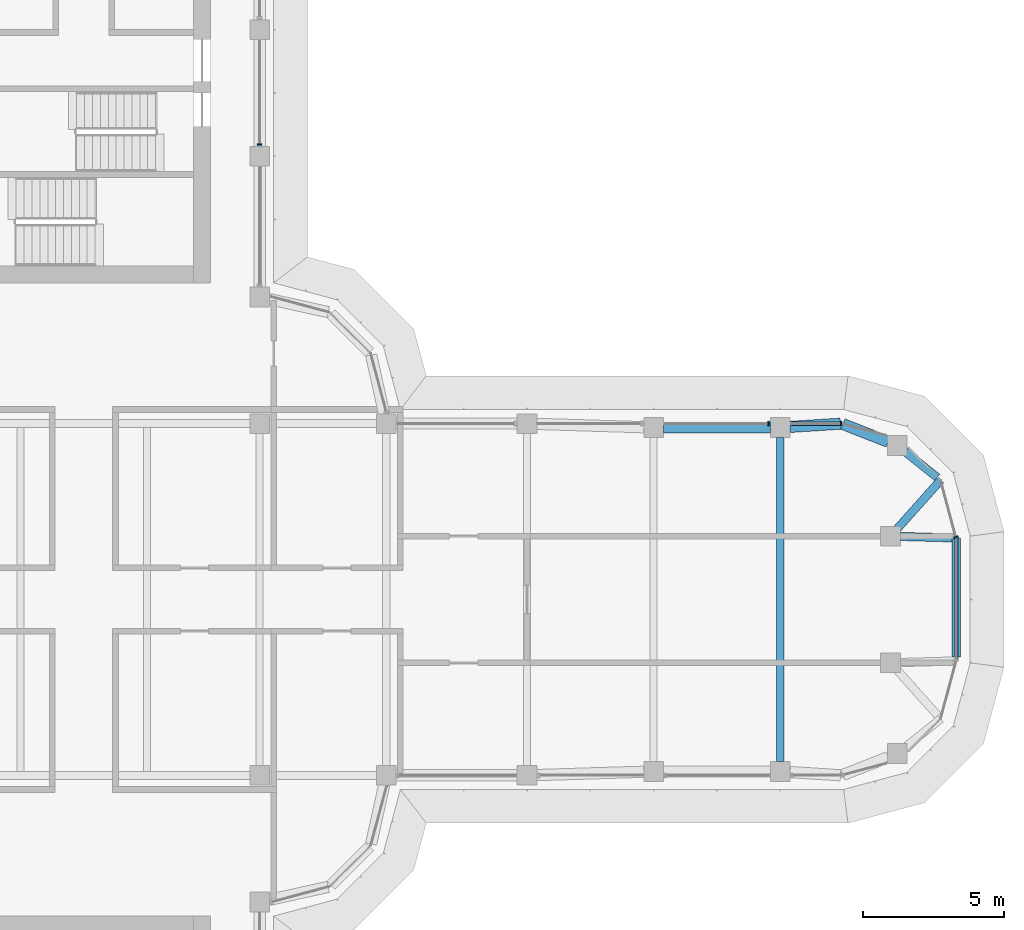
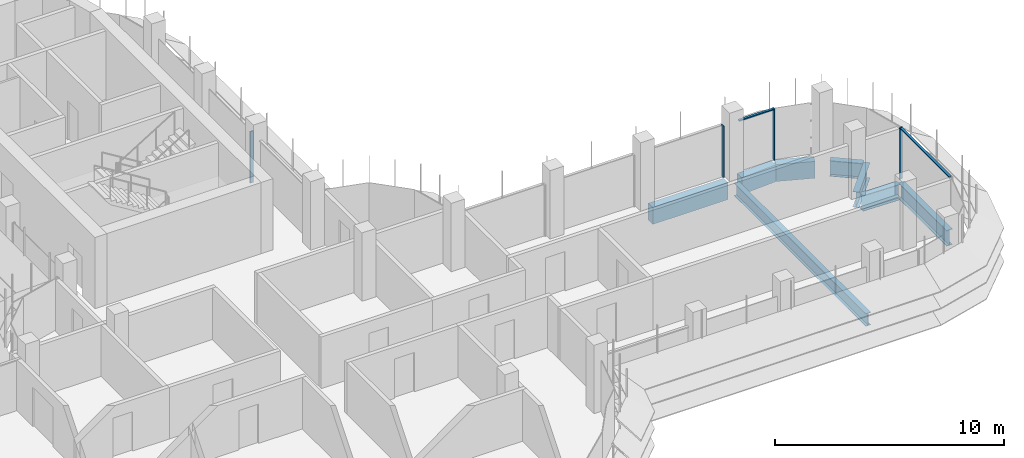
# One storey, part 9 of 19: 8 beams, 6 members, 4 elements without a shape of their own.
"""IFC4 building model written with IfcOpenShell, lengths in metres."""

from ifc_helpers import new_model, si_unit, direction, frame, origin, origin_2d, place, context, subcontext, project, spatial, polyline, rectangle, i_section, outline, extrude, source, transform, mapped, material, material_profile, profile_set, type_object, element, aggregate, save


model = new_model("IFC4")

# Units and contexts
model_context = context("Model", 3, precision=1e-05, world=origin(), true_north=direction((0.0, 1.0)))
body_context = subcontext(model_context, "Body", "Model", "MODEL_VIEW")
ifc_project = project(units=[si_unit("LENGTHUNIT", "METRE"), si_unit("AREAUNIT", "SQUARE_METRE"), si_unit("VOLUMEUNIT", "CUBIC_METRE"), si_unit("PLANEANGLEUNIT", "RADIAN"), si_unit("MASSUNIT", "GRAM", prefix="KILO")], contexts=[model_context])

# Site, building, storey
site_placement = place(None, origin())
site = spatial("IfcSite", under=ifc_project, at=site_placement, CompositionType="ELEMENT")
building_placement = place(site_placement, origin())
building = spatial("IfcBuilding", under=site, at=building_placement, Name="Zarbagh Exchange Tower", CompositionType="ELEMENT")
storey_placement = place(building_placement, frame((0.0, 0.0, 233.39990234375)))
storey = spatial("IfcBuildingStorey", under=building, at=storey_placement, Name="L57", CompositionType="ELEMENT", Elevation=233.39990234375)

# Beams
ifc_material_1 = material(Name="Steel ASTM A992 Gr 50", Category="steel")
ifc_material_profile_1 = material_profile(ifc_material_1, i_section(OverallWidth=0.25390625, OverallDepth=0.67822265625, WebThickness=0.01171875, FlangeThickness=0.016357421875, at=origin_2d()), Name="W27X84")
ifc_profile_set_1 = profile_set([ifc_material_profile_1], Name="Steel ASTM A992 Gr 50")
beam_type_1 = type_object("IfcBeamType", Name="Floor beam W27X84", PredefinedType="BEAM", material=ifc_profile_set_1)
beam_1_placement = place(storey_placement, frame((24.75, -5.760009765625, -0.489013671875), z_axis=(0.0, 1.0, 0.0), x_axis=(-1.0, 0.0, 0.0)))
element("IfcBeam", 1, at=beam_1_placement, inside=storey, type_object=beam_type_1, Name="Steel floor beam", PredefinedType="BEAM", context=body_context, shape_type="SweptSolid", body=[
    extrude(i_section(OverallWidth=0.25390625, OverallDepth=0.67822265625, WebThickness=0.01171875, FlangeThickness=0.016357421875, at=origin_2d()), origin(), (0.0, 0.0, 1.0), 11.52001953125),
])
ifc_material_profile_2 = material_profile(ifc_material_1, i_section(OverallWidth=0.2919921875, OverallDepth=0.835693359375, WebThickness=0.013916015625, FlangeThickness=0.018798828125, at=origin_2d()), Name="W33X118")
ifc_profile_set_2 = profile_set([ifc_material_profile_2], Name="Steel ASTM A992 Gr 50")
beam_type_2 = type_object("IfcBeamType", Name="Floor girder W33X118", PredefinedType="BEAM", material=ifc_profile_set_2)
beam_2_placement = place(storey_placement, frame((29.18115234375, 5.256103515625, -0.567626953125), z_axis=(0.780625690962, -0.624998824487, 0.0), x_axis=(0.624998824487, 0.780625690962, 0.0)))
element("IfcBeam", 2, at=beam_2_placement, inside=storey, type_object=beam_type_2, Name="Steel girder", PredefinedType="BEAM", context=body_context, shape_type="SweptSolid", body=[
    extrude(i_section(OverallWidth=0.2919921875, OverallDepth=0.835693359375, WebThickness=0.013916015625, FlangeThickness=0.018798828125, at=origin_2d()), origin(), (0.0, 0.0, 1.0), 1.469970703125),
])
beam_3_placement = place(storey_placement, frame((30.44873046875, 4.2412109375, -0.567626953125), z_axis=(-0.66615169279, -0.745816279115, 0.0), x_axis=(0.745816279115, -0.66615169279, 0.0)))
element("IfcBeam", 3, at=beam_3_placement, inside=storey, type_object=beam_type_2, Name="Steel girder", PredefinedType="BEAM", context=body_context, shape_type="SweptSolid", body=[
    extrude(i_section(OverallWidth=0.2919921875, OverallDepth=0.835693359375, WebThickness=0.013916015625, FlangeThickness=0.018798828125, at=origin_2d()), origin(), (0.0, 0.0, 1.0), 2.31982421875),
])
beam_4_placement = place(storey_placement, frame((29.02001953125, 2.239990234375, -0.567626953125), z_axis=(0.999603805015, -0.028146633904, 0.0), x_axis=(0.028146633904, 0.999603805015, 0.0)))
element("IfcBeam", 4, at=beam_4_placement, inside=storey, type_object=beam_type_2, Name="Steel girder", PredefinedType="BEAM", context=body_context, shape_type="SweptSolid", body=[
    extrude(i_section(OverallWidth=0.2919921875, OverallDepth=0.835693359375, WebThickness=0.013916015625, FlangeThickness=0.018798828125, at=origin_2d()), origin(), (0.0, 0.0, 1.0), 1.8388671875),
])
beam_5_placement = place(storey_placement, frame((31.0, 2.18408203125, -0.567626953125), z_axis=(0.0, -1.0, 0.0), x_axis=(1.0, 0.0, 0.0)))
element("IfcBeam", 5, at=beam_5_placement, inside=storey, type_object=beam_type_2, Name="Steel girder", PredefinedType="BEAM", context=body_context, shape_type="SweptSolid", body=[
    extrude(i_section(OverallWidth=0.2919921875, OverallDepth=0.835693359375, WebThickness=0.013916015625, FlangeThickness=0.018798828125, at=origin_2d()), origin(), (0.0, 0.0, 1.0), 4.226318359375),
])
ifc_material_2 = material(Name="Concrete C50/60", Category="concrete")
ifc_material_profile_3 = material_profile(ifc_material_2, rectangle(XDim=0.39990234375, YDim=0.89990234375, at=origin_2d()), Name="RC spandrel beam 400 x 900 C50/60")
ifc_profile_set_3 = profile_set([ifc_material_profile_3], Name="Concrete C50/60")
beam_type_3 = type_object("IfcBeamType", Name="RC spandrel beam 400 x 900 C50/60", PredefinedType="SPANDREL", material=ifc_profile_set_3)
beam_6_placement = place(storey_placement, frame((20.60009765625, 6.110107421875, -0.599853515625), z_axis=(1.0, 0.0, 0.0), x_axis=(0.0, 1.0, 0.0)))
element("IfcBeam", 6, at=beam_6_placement, inside=storey, type_object=beam_type_3, Name="RC spandrel beam", PredefinedType="SPANDREL", context=body_context, shape_type="SweptSolid", body=[
    extrude(rectangle(XDim=0.39990234375, YDim=0.89990234375, at=origin_2d()), origin(), (0.0, 0.0, 1.0), 3.7998046875),
])
beam_7_placement = place(storey_placement, frame((25.099365234375, 6.13232421875, -0.599853515625), z_axis=(0.997943601797, 0.064098109429, 0.0), x_axis=(-0.064098109429, 0.997943601797, 0.0)))
element("IfcBeam", 7, at=beam_7_placement, inside=storey, type_object=beam_type_3, Name="RC spandrel beam", PredefinedType="SPANDREL", context=body_context, shape_type="SweptSolid", body=[
    extrude(rectangle(XDim=0.39990234375, YDim=0.89990234375, at=origin_2d()), origin(), (0.0, 0.0, 1.0), 1.7939453125),
])
beam_8_placement = place(storey_placement, frame((26.9755859375, 6.233642578125, -0.599853515625), z_axis=(0.930818525178, -0.365481700207, 0.0), x_axis=(0.365481700207, 0.930818525178, 0.0)))
element("IfcBeam", 8, at=beam_8_placement, inside=storey, type_object=beam_type_3, Name="RC spandrel beam", PredefinedType="SPANDREL", context=body_context, shape_type="SweptSolid", body=[
    extrude(rectangle(XDim=0.39990234375, YDim=0.89990234375, at=origin_2d()), origin(), (0.0, 0.0, 1.0), 1.72607421875),
])

# Curtain wall, member
ifc_material_3 = material(Name="Anodised aluminium frame and glazing", Category="aluminium")
curtain_wall_type = type_object("IfcCurtainWallType", Name="CWB Ribbon glazing, upper zones", PredefinedType="NOTDEFINED", material=ifc_material_3)
curtain_wall_1_placement = place(storey_placement, origin())
curtain_wall_1 = element("IfcCurtainWall", 9, at=curtain_wall_1_placement, inside=storey, type_object=curtain_wall_type, Name="CWB13 curtain wall", PredefinedType="NOTDEFINED")
ifc_material_4 = material(Name="Anodised aluminium frame", Category="aluminium")
member_type_1 = type_object("IfcMemberType", Name="MUB Mullion, anodised aluminium frame", PredefinedType="MULLION", material=ifc_material_4)
shared_shape_1 = source(origin(), body_context, "Body", "SweptSolid", [
    extrude(outline(polyline([(0.0, -0.080078125), (0.06005859375, -0.080078125), (0.06005859375, 0.080078125), (0.0, 0.080078125), (0.0, -0.080078125)])), origin(), (0.0, 0.0, 1.0), 2.75),
])
placement = place(storey_placement, origin())
member_1 = element("IfcMember", 10, at=placement, type_object=member_type_1, Name="CWB13 mullion 1.1", PredefinedType="MULLION", context=body_context, shape_type="MappedRepresentation", body=[
    mapped(shared_shape_1, transform((31.0, 2.18408203125, 0.0), x_axis=(-0.258824779902, 0.965924289636, 0.0), y_axis=(-0.965924289636, -0.258824779902, 0.0), z_axis=(0.0, 0.0, 1.0))),
])
aggregate(curtain_wall_1, [member_1])

# Curtain wall, members
curtain_wall_2_placement = place(storey_placement, origin())
curtain_wall_2 = element("IfcCurtainWall", 11, at=curtain_wall_2_placement, inside=storey, type_object=curtain_wall_type, Name="CWB16 curtain wall", PredefinedType="NOTDEFINED")
member_2 = element("IfcMember", 12, at=placement, type_object=member_type_1, Name="CWB16 mullion 1.1", PredefinedType="MULLION", context=body_context, shape_type="MappedRepresentation", body=[
    mapped(shared_shape_1, transform((26.93408203125, 6.25, 0.0), x_axis=(-1.0, 0.0, 0.0), y_axis=(0.0, -1.0, 0.0), z_axis=(0.0, 0.0, 1.0))),
])
member_3 = element("IfcMember", 13, at=placement, type_object=member_type_1, Name="CWB16 mullion 2.1", PredefinedType="MULLION", context=body_context, shape_type="MappedRepresentation", body=[
    mapped(shared_shape_1, transform((24.35986328125, 6.25, 0.0), x_axis=(-1.0, 0.0, 0.0), y_axis=(0.0, -1.0, 0.0), z_axis=(0.0, 0.0, 1.0))),
])

# Curtain wall, member
curtain_wall_3_placement = place(storey_placement, origin())
curtain_wall_3 = element("IfcCurtainWall", 14, at=curtain_wall_3_placement, inside=storey, type_object=curtain_wall_type, Name="CWB67 curtain wall", PredefinedType="NOTDEFINED")
member_4 = element("IfcMember", 15, at=placement, type_object=member_type_1, Name="CWB67 mullion 2.1", PredefinedType="MULLION", context=body_context, shape_type="MappedRepresentation", body=[
    mapped(shared_shape_1, transform((6.25, 16.14013671875, 0.0), x_axis=(0.0, 1.0, 0.0), y_axis=(-1.0, 0.0, 0.0), z_axis=(0.0, 0.0, 1.0))),
])
aggregate(curtain_wall_3, [member_4])

# Member
member_type_2 = type_object("IfcMemberType", Name="TRB Transom, anodised aluminium frame", PredefinedType="USERDEFINED", material=ifc_material_4)
shared_shape_2 = source(origin(), body_context, "Body", "SweptSolid", [
    extrude(outline(polyline([(-0.06005859375, -0.06005859375), (0.0, -0.06005859375), (0.0, 0.06005859375), (-0.06005859375, 0.06005859375), (-0.06005859375, -0.06005859375)])), origin(), (0.0, 0.0, 1.0), 1.734130859375),
])
member_5 = element("IfcMember", 16, at=placement, type_object=member_type_2, Name="CWB16 transom 1.1", ObjectType="TRANSOM", PredefinedType="USERDEFINED", context=body_context, shape_type="MappedRepresentation", body=[
    mapped(shared_shape_2, transform((26.874267578125, 6.25, 2.75), x_axis=(0.0, 0.0, 1.0), y_axis=(0.0, 1.0, 0.0), z_axis=(-1.0, 0.0, 0.0))),
])

aggregate(curtain_wall_2, [member_2, member_5, member_3])

# Curtain wall, member
curtain_wall_4_placement = place(storey_placement, origin())
curtain_wall_4 = element("IfcCurtainWall", 17, at=curtain_wall_4_placement, inside=storey, type_object=curtain_wall_type, Name="CWB12 curtain wall", PredefinedType="NOTDEFINED")
shared_shape_3 = source(origin(), body_context, "Body", "SweptSolid", [
    extrude(outline(polyline([(-0.06005859375, -0.06005859375), (0.0, -0.06005859375), (0.0, 0.06005859375), (-0.06005859375, 0.06005859375), (-0.06005859375, -0.06005859375)])), origin(), (0.0, 0.0, 1.0), 4.308349609375),
])
member_6 = element("IfcMember", 18, at=placement, type_object=member_type_2, Name="CWB12 transom 1.1", ObjectType="TRANSOM", PredefinedType="USERDEFINED", context=body_context, shape_type="MappedRepresentation", body=[
    mapped(shared_shape_3, transform((31.0, -2.124267578125, 2.75), x_axis=(0.0, 0.0, 1.0), y_axis=(1.0, 0.0, 0.0), z_axis=(0.0, 1.0, 0.0))),
])
aggregate(curtain_wall_4, [member_6])

save(model, "model.ifc")
